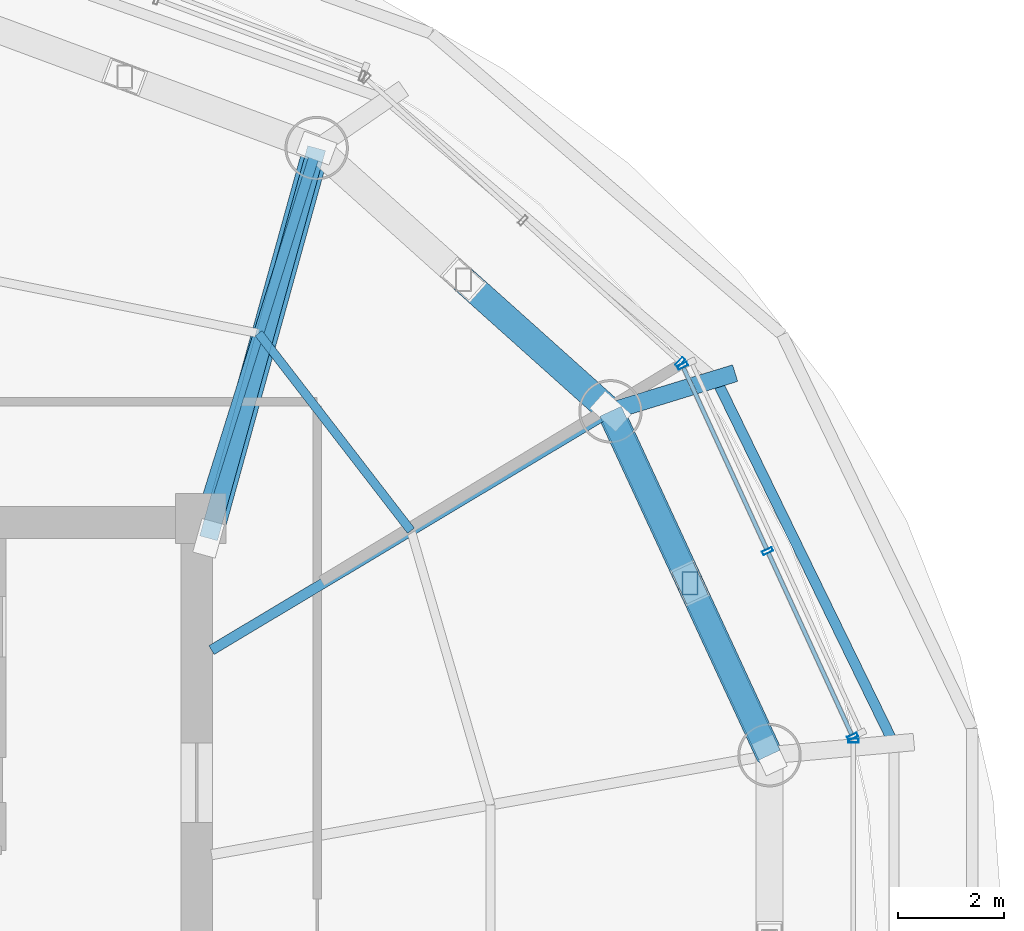
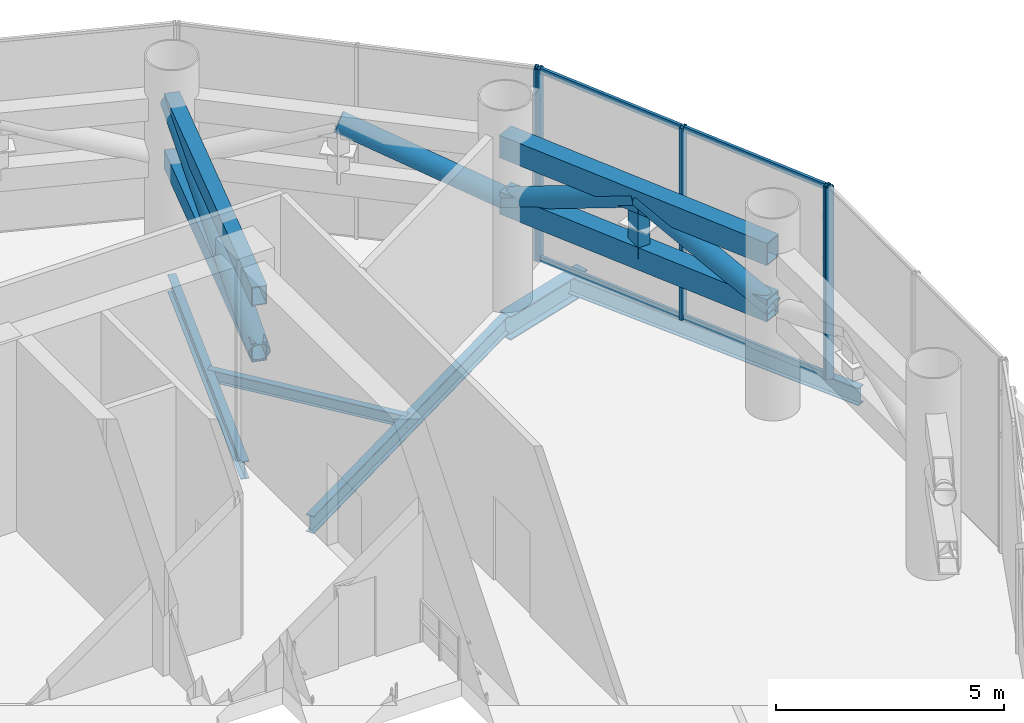
# One storey, part 13 of 25: 18 members, 5 beams, 3 elements without a shape of their own.
"""IFC4 building model written with IfcOpenShell, lengths in metres."""

from ifc_helpers import new_model, si_unit, direction, frame, origin, origin_2d, place, context, subcontext, project, spatial, hollow_rectangle, hollow_circle, i_section, extrude, source, transform, mapped, material, material_profile, profile_set, type_object, element, aggregate, save


model = new_model("IFC4")

# Units and contexts
model_context = context("Model", 3, precision=1e-05, world=origin(), true_north=direction((-0.2419218956, 0.970295726276)))
body_context = subcontext(model_context, "Body", "Model", "MODEL_VIEW")
ifc_project = project(units=[si_unit("LENGTHUNIT", "METRE"), si_unit("AREAUNIT", "SQUARE_METRE"), si_unit("VOLUMEUNIT", "CUBIC_METRE"), si_unit("PLANEANGLEUNIT", "RADIAN"), si_unit("MASSUNIT", "GRAM", prefix="KILO")], contexts=[model_context])

# Site, building, storey
site_placement = place(None, origin())
site = spatial("IfcSite", under=ifc_project, at=site_placement, CompositionType="ELEMENT")
building_placement = place(site_placement, origin())
building = spatial("IfcBuilding", under=site, at=building_placement, Name="Cobrevalo Terracotta Tower", CompositionType="ELEMENT")
storey_placement = place(building_placement, frame((0.0, 0.0, 185.800048828125)))
storey = spatial("IfcBuildingStorey", under=building, at=storey_placement, Name="L49", CompositionType="ELEMENT", Elevation=185.800048828125)

# Beams
ifc_material_1 = material(Name="Steel S355", Category="steel")
ifc_material_profile_1 = material_profile(ifc_material_1, i_section(OverallWidth=0.194091796875, OverallDepth=0.468994140625, WebThickness=0.011474609375, FlangeThickness=0.0205078125, at=origin_2d()), Name="W 460x106")
ifc_profile_set_1 = profile_set([ifc_material_profile_1], Name="Steel S355")
beam_type_1 = type_object("IfcBeamType", Name="Structural Beam W 460x106 (Steel S355)", PredefinedType="BEAM", material=ifc_profile_set_1)
beam_1_placement = place(storey_placement, frame((54.754150390625, 36.828125, -0.6845703125), z_axis=(-0.858038452613, -0.513585449402, 0.0), x_axis=(0.513585449402, -0.858038452613, 0.0)))
element("IfcBeam", 1, at=beam_1_placement, inside=storey, type_object=beam_type_1, Name="L49 radial floor girder 02", PredefinedType="BEAM", context=body_context, shape_type="SweptSolid", body=[
    extrude(i_section(OverallWidth=0.194091796875, OverallDepth=0.468994140625, WebThickness=0.011474609375, FlangeThickness=0.0205078125, at=origin_2d()), origin(), (0.0, 0.0, 1.0), 8.798095703125),
])
beam_2_placement = place(storey_placement, frame((49.19482421875, 41.80810546875, -0.6845703125), z_axis=(-0.298871212691, -0.954293454984, 0.0), x_axis=(0.954293454984, -0.298871212691, 0.0)))
element("IfcBeam", 2, at=beam_2_placement, inside=storey, type_object=beam_type_1, Name="L49 radial floor girder 03", PredefinedType="BEAM", context=body_context, shape_type="SweptSolid", body=[
    extrude(i_section(OverallWidth=0.194091796875, OverallDepth=0.468994140625, WebThickness=0.011474609375, FlangeThickness=0.0205078125, at=origin_2d()), origin(), (0.0, 0.0, 1.0), 7.34375),
])
ifc_material_profile_2 = material_profile(ifc_material_1, i_section(OverallWidth=0.3291015625, OverallDepth=0.635009765625, WebThickness=0.017822265625, FlangeThickness=0.031005859375, at=origin_2d()), Name="W 610x241")
ifc_profile_set_2 = profile_set([ifc_material_profile_2], Name="Steel S355")
beam_type_2 = type_object("IfcBeamType", Name="Structural Beam W 610x241 (Steel S355)", PredefinedType="BEAM", material=ifc_profile_set_2)
beam_3_placement = place(storey_placement, frame((57.113037109375, 37.550537109375, -0.767578125), z_axis=(-0.956165466877, -0.292826911249, 0.0), x_axis=(0.292826911249, -0.956165466877, 0.0)))
element("IfcBeam", 3, at=beam_3_placement, inside=storey, type_object=beam_type_2, Name="L49 setback step-link girder 02", PredefinedType="BEAM", context=body_context, shape_type="SweptSolid", body=[
    extrude(i_section(OverallWidth=0.3291015625, OverallDepth=0.635009765625, WebThickness=0.017822265625, FlangeThickness=0.031005859375, at=origin_2d()), origin(), (0.0, 0.0, 1.0), 2.467041015625),
])
ifc_material_profile_3 = material_profile(ifc_material_1, i_section(OverallWidth=0.1650390625, OverallDepth=0.31005859375, WebThickness=0.005859375, FlangeThickness=0.009765625, at=origin_2d()), Name="W 310x38.7")
ifc_profile_set_3 = profile_set([ifc_material_profile_3], Name="Steel S355")
beam_type_3 = type_object("IfcBeamType", Name="Structural Joist W 310x38.7 (Steel S355)", PredefinedType="JOIST", material=ifc_profile_set_3)
beam_4_placement = place(storey_placement, frame((50.9794921875, 34.56884765625, -0.60498046875), z_axis=(-0.610897996635, 0.791709313894, 0.0), x_axis=(-0.791709313894, -0.610897996635, 0.0)))
element("IfcBeam", 4, at=beam_4_placement, inside=storey, type_object=beam_type_3, Name="L49 circumferential secondary floor joist 02", PredefinedType="JOIST", context=body_context, shape_type="SweptSolid", body=[
    extrude(i_section(OverallWidth=0.1650390625, OverallDepth=0.31005859375, WebThickness=0.005859375, FlangeThickness=0.009765625, at=origin_2d()), origin(), (0.0, 0.0, 1.0), 4.7177734375),
])
ifc_material_profile_4 = material_profile(ifc_material_1, i_section(OverallWidth=0.194091796875, OverallDepth=0.468994140625, WebThickness=0.011474609375, FlangeThickness=0.0205078125, at=origin_2d()), Name="W 460x106")
ifc_profile_set_4 = profile_set([ifc_material_profile_4], Name="Steel S355")
beam_type_4 = type_object("IfcBeamType", Name="Structural Spandrel W 460x106 (Steel S355)", PredefinedType="SPANDREL", material=ifc_profile_set_4)
beam_5_placement = place(storey_placement, frame((60.11669921875, 30.535888671875, -0.6845703125), z_axis=(-0.438367894028, 0.89879563277, 0.0), x_axis=(-0.89879563277, -0.438367894028, 0.0)))
element("IfcBeam", 5, at=beam_5_placement, inside=storey, type_object=beam_type_4, Name="L49 perimeter ring spandrel 01", PredefinedType="SPANDREL", context=body_context, shape_type="SweptSolid", body=[
    extrude(i_section(OverallWidth=0.194091796875, OverallDepth=0.468994140625, WebThickness=0.011474609375, FlangeThickness=0.0205078125, at=origin_2d()), origin(), (0.0, 0.0, 1.0), 7.6806640625),
])

# Members
ifc_material_profile_5 = material_profile(ifc_material_1, hollow_rectangle(XDim=0.449951171875, YDim=0.60009765625, WallThickness=0.028076171875, at=origin_2d()), Name="RHS 600x450x28")
ifc_profile_set_5 = profile_set([ifc_material_profile_5], Name="Steel S355")
member_type_1 = type_object("IfcMemberType", Name="Steel Chord RHS 600x450x28 (Steel S355)", PredefinedType="CHORD", material=ifc_profile_set_5)
shared_shape_1 = source(origin(), body_context, "Body", "SweptSolid", [
    extrude(hollow_rectangle(XDim=0.449951171875, YDim=0.60009765625, WallThickness=0.028076171875, at=origin_2d()), origin(), (0.0, 0.0, 1.0), 7.168701171875),
])
for number, where, z_axis, x_axis, name in (
    (6, (57.762939453125, 30.3212890625, 2.64990234375), (-0.419705965131, 0.907660125176, 0.0), (-0.907660125176, -0.419705965131, 0.0), "L49 belt truss chord 01-BC"),
    (7, (57.762939453125, 30.3212890625, 4.155029296875), (-0.419705965131, 0.907660125176, 0.0), (-0.907660125176, -0.419705965131, 0.0), "L49 belt truss chord 01-TC"),
):
    element("IfcMember", number, at=place(storey_placement, frame(where, z_axis=z_axis, x_axis=x_axis)), inside=storey, type_object=member_type_1, Name=name, PredefinedType="CHORD", context=body_context, shape_type="MappedRepresentation", body=[
        mapped(shared_shape_1, transform((0.0, 0.0, 0.0), scale=1.0)),
    ])
ifc_material_profile_6 = material_profile(ifc_material_1, hollow_rectangle(XDim=0.300048828125, YDim=0.449951171875, WallThickness=0.02001953125, at=origin_2d()), Name="RHS 450x300x20")
ifc_profile_set_6 = profile_set([ifc_material_profile_6], Name="Steel S355")
member_type_2 = type_object("IfcMemberType", Name="Steel Post RHS 450x300x20 (Steel S355)", PredefinedType="POST", material=ifc_profile_set_6)
shared_shape_2 = source(origin(), body_context, "Body", "SweptSolid", [
    extrude(hollow_rectangle(XDim=0.300048828125, YDim=0.449951171875, WallThickness=0.02001953125, at=origin_2d()), origin(), (0.0, 0.0, 1.0), 1.505126953125),
])
member_1_placement = place(storey_placement, frame((56.258544921875, 33.57470703125, 2.64990234375), z_axis=(0.0, 0.0, 1.0), x_axis=(1.0, 0.0, 0.0)))
element("IfcMember", 8, at=member_1_placement, inside=storey, type_object=member_type_2, Name="L49 belt truss post 01", PredefinedType="POST", context=body_context, shape_type="MappedRepresentation", body=[
    mapped(shared_shape_2, transform((0.0, 0.0, 0.0), scale=1.0)),
])
ifc_material_profile_7 = material_profile(ifc_material_1, hollow_circle(Radius=0.25390625, WallThickness=0.02001953125, at=origin_2d()), Name="CHS 508x20")
ifc_profile_set_7 = profile_set([ifc_material_profile_7], Name="Steel S355")
member_type_3 = type_object("IfcMemberType", Name="Steel Brace CHS 508x20 (Steel S355)", PredefinedType="BRACE", material=ifc_profile_set_7)
shared_shape_3 = source(origin(), body_context, "Body", "SweptSolid", [
    extrude(hollow_circle(Radius=0.25390625, WallThickness=0.02001953125, at=origin_2d()), origin(), (0.0, 0.0, 1.0), 3.8876953125),
])
for number, where, z_axis, x_axis, name in (
    (9, (57.762939453125, 30.3212890625, 2.64990234375), (-0.386973780964, 0.836873191355, 0.387162181052), (-0.907660125176, -0.419705965131, 0.0), "L49 belt truss diagonal brace 01-D1"),
    (10, (54.754150390625, 36.828125, 2.64990234375), (0.386973780964, -0.836873191355, 0.387162181052), (0.907660125176, 0.419705965131, 0.0), "L49 belt truss diagonal brace 01-D2"),
):
    element("IfcMember", number, at=place(storey_placement, frame(where, z_axis=z_axis, x_axis=x_axis)), inside=storey, type_object=member_type_3, Name=name, PredefinedType="BRACE", context=body_context, shape_type="MappedRepresentation", body=[
        mapped(shared_shape_3, transform((0.0, 0.0, 0.0), scale=1.0)),
    ])
shared_shape_4 = source(origin(), body_context, "Body", "SweptSolid", [
    extrude(hollow_circle(Radius=0.25390625, WallThickness=0.02001953125, at=origin_2d()), origin(), (0.0, 0.0, 1.0), 4.02392578125),
])
member_2_placement = place(storey_placement, frame((54.754150390625, 36.828125, 2.64990234375), z_axis=(-0.690799602497, 0.618783167563, 0.374036496522), x_axis=(-0.667213539671, -0.744866493057, 0.0)))
element("IfcMember", 11, at=member_2_placement, inside=storey, type_object=member_type_3, Name="L49 belt truss diagonal brace 02-D1", PredefinedType="BRACE", context=body_context, shape_type="MappedRepresentation", body=[
    mapped(shared_shape_4, transform((0.0, 0.0, 0.0), scale=1.0)),
])
ifc_material_profile_8 = material_profile(ifc_material_1, hollow_rectangle(XDim=0.35009765625, YDim=0.5, WallThickness=0.02197265625, at=origin_2d()), Name="RHS 500x350x22")
ifc_profile_set_8 = profile_set([ifc_material_profile_8], Name="Steel S355")
member_type_4 = type_object("IfcMemberType", Name="Steel Chord RHS 500x350x22 (Steel S355)", PredefinedType="CHORD", material=ifc_profile_set_8)
shared_shape_5 = source(origin(), body_context, "Body", "SweptSolid", [
    extrude(hollow_rectangle(XDim=0.35009765625, YDim=0.5, WallThickness=0.02197265625, at=origin_2d()), origin(), (0.0, 0.0, 1.0), 7.6611328125),
])
for number, where, z_axis, x_axis, name in (
    (12, (47.14990234375, 34.425048828125, 2.64990234375), (0.266925528962, 0.963717158708, 0.0), (-0.963717158708, 0.266925528962, 0.0), "L49 radial outrigger bottom chord 1"),
    (13, (47.14990234375, 34.425048828125, 4.155029296875), (0.266925528962, 0.963717158708, 0.0), (-0.963717158708, 0.266925528962, 0.0), "L49 radial outrigger top chord 1"),
):
    element("IfcMember", number, at=place(storey_placement, frame(where, z_axis=z_axis, x_axis=x_axis)), inside=storey, type_object=member_type_4, Name=name, PredefinedType="CHORD", context=body_context, shape_type="MappedRepresentation", body=[
        mapped(shared_shape_5, transform((0.0, 0.0, 0.0), scale=1.0)),
    ])
shared_shape_6 = source(origin(), body_context, "Body", "SweptSolid", [
    extrude(hollow_circle(Radius=0.25390625, WallThickness=0.02001953125, at=origin_2d()), origin(), (0.0, 0.0, 1.0), 7.807373046875),
])
member_3_placement = place(storey_placement, frame((47.14990234375, 34.425048828125, 2.64990234375), z_axis=(0.261918525891, 0.945639701705, 0.192780290368), x_axis=(-0.963717158708, 0.266925528962, 0.0)))
element("IfcMember", 14, at=member_3_placement, inside=storey, type_object=member_type_3, Name="L49 radial outrigger diagonal brace 1A", PredefinedType="BRACE", context=body_context, shape_type="MappedRepresentation", body=[
    mapped(shared_shape_6, transform((0.0, 0.0, 0.0), scale=1.0)),
])

# Curtain wall, members
ifc_material_2 = material(Name="Anodized aluminium", Category="aluminium")
curtain_wall_type = type_object("IfcCurtainWallType", Name="Belt-truss plant acoustic weather-louvre curtain wall CW-LV", PredefinedType="NOTDEFINED", material=ifc_material_2)
curtain_wall_1_placement = place(storey_placement, origin())
curtain_wall_1 = element("IfcCurtainWall", 15, at=curtain_wall_1_placement, inside=storey, type_object=curtain_wall_type, Name="L49 curtain wall CW-LV-L49-S01", PredefinedType="NOTDEFINED")
ifc_material_profile_9 = material_profile(ifc_material_2, hollow_rectangle(XDim=0.074951171875, YDim=0.199951171875, WallThickness=0.0048828125, at=origin_2d()), Name="CWM 75x200")
ifc_profile_set_9 = profile_set([ifc_material_profile_9], Name="Anodized aluminium")
member_type_5 = type_object("IfcMemberType", Name="Lower/mid tower unitised mullion 75x200", PredefinedType="MULLION", material=ifc_profile_set_9)
shared_shape_7 = source(origin(), body_context, "Body", "SweptSolid", [
    extrude(hollow_rectangle(XDim=0.074951171875, YDim=0.199951171875, WallThickness=0.0048828125, at=origin_2d()), origin(), (0.0, 0.0, 1.0), 5.135009765625),
])
member_4_placement = place(storey_placement, frame((59.3349609375, 30.673828125, 0.0), z_axis=(0.0, 0.0, 1.0), x_axis=(-0.41672507912, 0.909032567311, 0.0)))
member_4 = element("IfcMember", 16, at=member_4_placement, type_object=member_type_5, Name="CW-LV-L49-S01 vertical mullion 01", PredefinedType="MULLION", context=body_context, shape_type="MappedRepresentation", body=[
    mapped(shared_shape_7, transform((0.0, 0.0, 0.0), scale=1.0)),
])
member_5_placement = place(storey_placement, frame((57.726318359375, 34.182861328125, 0.0), z_axis=(0.0, 0.0, 1.0), x_axis=(-0.41672507912, 0.909032567311, 0.0)))
member_5 = element("IfcMember", 17, at=member_5_placement, type_object=member_type_5, Name="CW-LV-L49-S01 vertical mullion 02", PredefinedType="MULLION", context=body_context, shape_type="MappedRepresentation", body=[
    mapped(shared_shape_7, transform((0.0, 0.0, 0.0), scale=1.0)),
])
member_6_placement = place(storey_placement, frame((56.11767578125, 37.691650390625, 0.0), z_axis=(0.0, 0.0, 1.0), x_axis=(-0.41672507912, 0.909032567311, 0.0)))
member_6 = element("IfcMember", 18, at=member_6_placement, type_object=member_type_5, Name="CW-LV-L49-S01 vertical mullion 03", PredefinedType="MULLION", context=body_context, shape_type="MappedRepresentation", body=[
    mapped(shared_shape_7, transform((0.0, 0.0, 0.0), scale=1.0)),
])

# Curtain wall, member
curtain_wall_2_placement = place(storey_placement, origin())
curtain_wall_2 = element("IfcCurtainWall", 19, at=curtain_wall_2_placement, inside=storey, type_object=curtain_wall_type, Name="L49 curtain wall CW-LV-L49-S02", PredefinedType="NOTDEFINED")
member_7_placement = place(storey_placement, frame((56.071533203125, 37.7548828125, 0.0), z_axis=(0.0, 0.0, 1.0), x_axis=(-0.741987542015, 0.670413668935, 0.0)))
member_7 = element("IfcMember", 20, at=member_7_placement, type_object=member_type_5, Name="CW-LV-L49-S02 vertical mullion 01", PredefinedType="MULLION", context=body_context, shape_type="MappedRepresentation", body=[
    mapped(shared_shape_7, transform((0.0, 0.0, 0.0), scale=1.0)),
])
aggregate(curtain_wall_2, [member_7])

curtain_wall_3_placement = place(storey_placement, origin())
curtain_wall_3 = element("IfcCurtainWall", 21, at=curtain_wall_3_placement, inside=storey, type_object=curtain_wall_type, Name="L49 curtain wall CW-LV-L49-S16", PredefinedType="NOTDEFINED")
member_8_placement = place(storey_placement, frame((59.351806640625, 30.597412109375, 0.0), z_axis=(0.0, 0.0, 1.0), x_axis=(0.0, 1.0, 0.0)))
member_8 = element("IfcMember", 22, at=member_8_placement, type_object=member_type_5, Name="CW-LV-L49-S16 vertical mullion 03", PredefinedType="MULLION", context=body_context, shape_type="MappedRepresentation", body=[
    mapped(shared_shape_7, transform((0.0, 0.0, 0.0), scale=1.0)),
])
aggregate(curtain_wall_3, [member_8])

# Member
ifc_material_profile_10 = material_profile(ifc_material_2, hollow_rectangle(XDim=0.074951171875, YDim=0.14990234375, WallThickness=0.00439453125, at=origin_2d()), Name="CWT 75x150")
ifc_profile_set_10 = profile_set([ifc_material_profile_10], Name="Anodized aluminium")
member_type_6 = type_object("IfcMemberType", Name="Tower unitised aluminium transom 75x150", PredefinedType="USERDEFINED", material=ifc_profile_set_10)
shared_shape_8 = source(origin(), body_context, "Body", "SweptSolid", [
    extrude(hollow_rectangle(XDim=0.074951171875, YDim=0.14990234375, WallThickness=0.00439453125, at=origin_2d()), origin(), (0.0, 0.0, 1.0), 3.780029296875),
])
member_9_placement = place(storey_placement, frame((59.318359375, 30.710205078125, 0.050048828125), z_axis=(-0.416705859352, 0.909041377926, 0.0), x_axis=(-0.909041377926, -0.416705859352, 0.0)))
member_9 = element("IfcMember", 23, at=member_9_placement, type_object=member_type_6, Name="CW-LV-L49-S01 transom B01-T1", ObjectType="TRANSOM", PredefinedType="USERDEFINED", context=body_context, shape_type="MappedRepresentation", body=[
    mapped(shared_shape_8, transform((0.0, 0.0, 0.0), scale=1.0)),
])

member_10_placement = place(storey_placement, frame((59.318359375, 30.710205078125, 5.0849609375), z_axis=(-0.416705859352, 0.909041377926, 0.0), x_axis=(-0.909041377926, -0.416705859352, 0.0)))
member_10 = element("IfcMember", 24, at=member_10_placement, type_object=member_type_6, Name="CW-LV-L49-S01 transom B01-T2", ObjectType="TRANSOM", PredefinedType="USERDEFINED", context=body_context, shape_type="MappedRepresentation", body=[
    mapped(shared_shape_8, transform((0.0, 0.0, 0.0), scale=1.0)),
])

member_11_placement = place(storey_placement, frame((57.709716796875, 34.218994140625, 0.050048828125), z_axis=(-0.416705859352, 0.909041377926, 0.0), x_axis=(-0.909041377926, -0.416705859352, 0.0)))
member_11 = element("IfcMember", 25, at=member_11_placement, type_object=member_type_6, Name="CW-LV-L49-S01 transom B02-T1", ObjectType="TRANSOM", PredefinedType="USERDEFINED", context=body_context, shape_type="MappedRepresentation", body=[
    mapped(shared_shape_8, transform((0.0, 0.0, 0.0), scale=1.0)),
])

member_12_placement = place(storey_placement, frame((57.709716796875, 34.218994140625, 5.0849609375), z_axis=(-0.416705859352, 0.909041377926, 0.0), x_axis=(-0.909041377926, -0.416705859352, 0.0)))
member_12 = element("IfcMember", 26, at=member_12_placement, type_object=member_type_6, Name="CW-LV-L49-S01 transom B02-T2", ObjectType="TRANSOM", PredefinedType="USERDEFINED", context=body_context, shape_type="MappedRepresentation", body=[
    mapped(shared_shape_8, transform((0.0, 0.0, 0.0), scale=1.0)),
])

aggregate(curtain_wall_1, [member_4, member_5, member_6, member_9, member_10, member_11, member_12])

save(model, "model.ifc")
